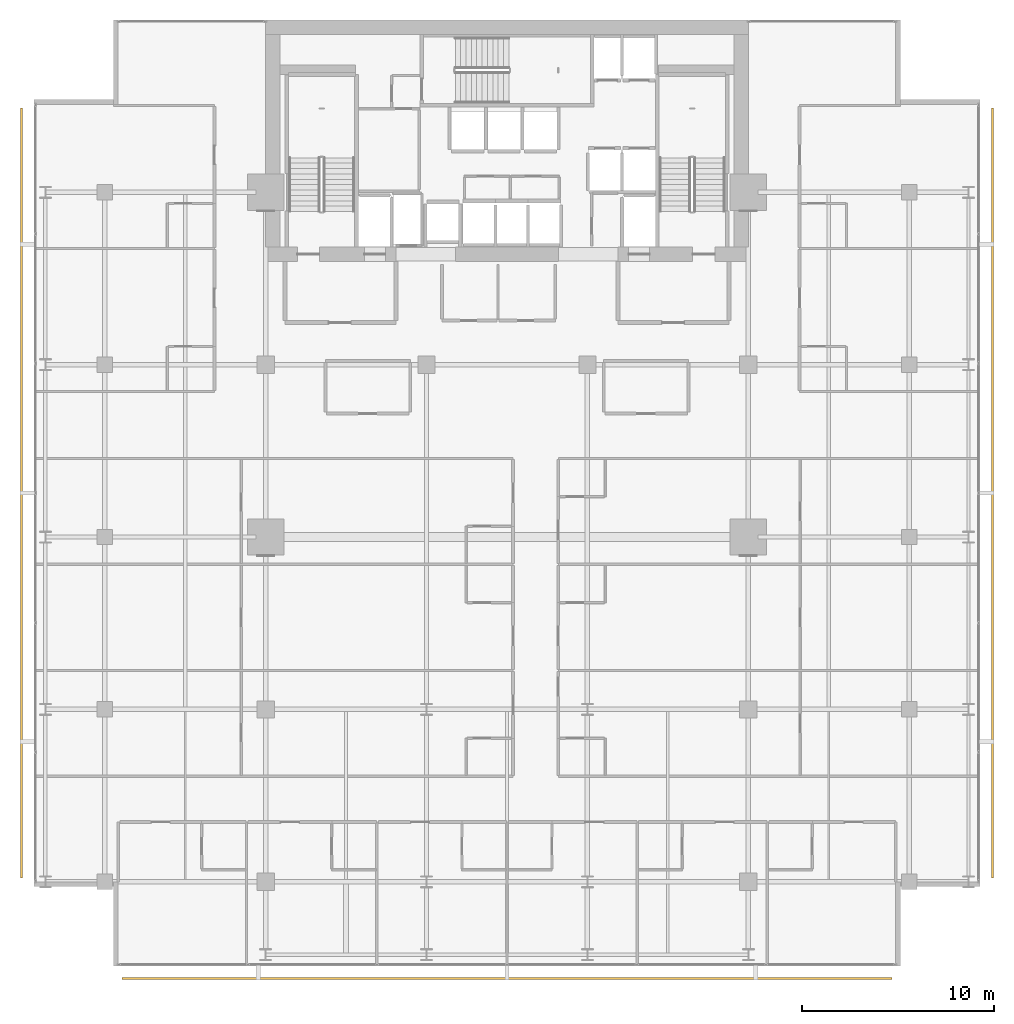
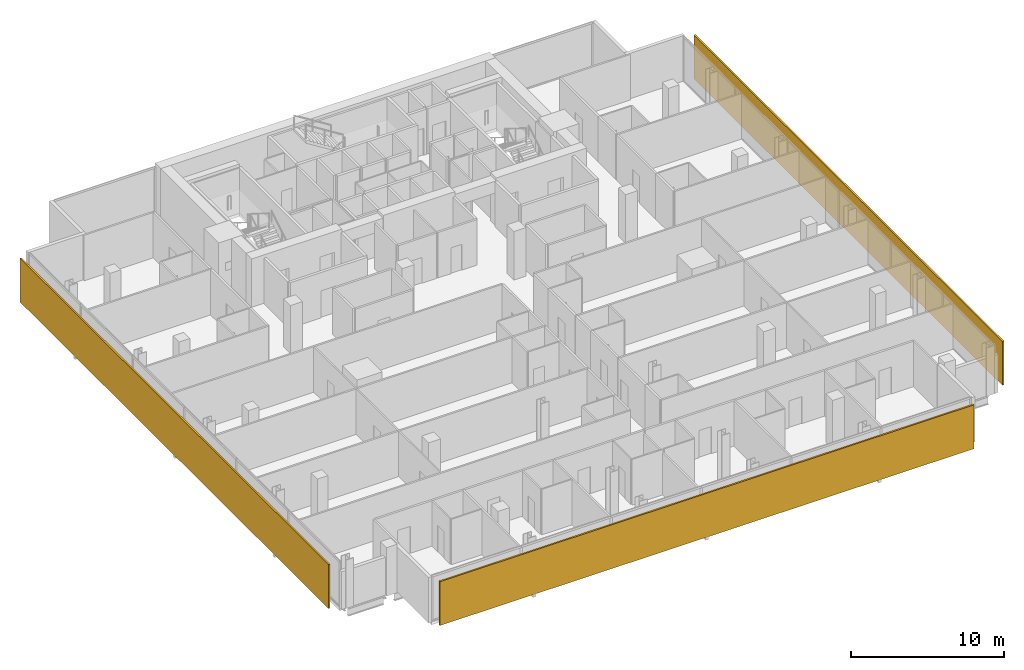
# One storey, part 32 of 33: 3 shading devices.
"""IFC4 building model written with IfcOpenShell, lengths in metres."""

from ifc_helpers import new_model, si_unit, direction, frame, origin, origin_2d, place, context, subcontext, project, spatial, rectangle, extrude, material, layer, layer_set, type_object, element, save


model = new_model("IFC4")

# Units and contexts
model_context = context("Model", 3, precision=1e-05, world=origin(), true_north=direction((0.0, 1.0)))
body_context = subcontext(model_context, "Body", "Model", "MODEL_VIEW")
ifc_project = project(units=[si_unit("LENGTHUNIT", "METRE"), si_unit("AREAUNIT", "SQUARE_METRE"), si_unit("VOLUMEUNIT", "CUBIC_METRE"), si_unit("PLANEANGLEUNIT", "RADIAN"), si_unit("MASSUNIT", "GRAM", prefix="KILO")], contexts=[model_context])

# Site, building, storey
site_placement = place(None, origin())
site = spatial("IfcSite", under=ifc_project, at=site_placement, CompositionType="ELEMENT")
building_placement = place(site_placement, origin())
building = spatial("IfcBuilding", under=site, at=building_placement, Name="Maruvema Waterfront Hotel and Observation Tower", CompositionType="ELEMENT")
storey_placement = place(building_placement, frame((0.0, 0.0, 158.199951171875)))
storey = spatial("IfcBuildingStorey", under=building, at=storey_placement, Name="L38", CompositionType="ELEMENT", Elevation=158.199951171875)

# Shading devices
ifc_material = material(Name="Honed travertine stone and anodised architectural bronze", Category="masonry")
ifc_layer = layer(ifc_material, 0.1201171875, Name="Ventilated Outer Skin Cobogo Stone-and-Bronze Screen 120 mm")
ifc_layer_set = layer_set([ifc_layer], Name="Honed travertine stone and anodised architectural bronze")
shading_device_type = type_object("IfcShadingDeviceType", Name="Ventilated Outer Skin Cobogo Stone-and-Bronze Screen 120 mm", PredefinedType="USERDEFINED", material=ifc_layer_set)
for number, where, z_axis, x_axis, name in (
    (1, (37.800048828125, 3.949951171875, 0.06005859375), (0.0, 0.0, 1.0), (1.0, 0.0, 0.0), "L38 Ventilated Double-Skin Outer Cobogo Screen OS-L38-S"),
    (2, (63.14990234375, 29.300048828125, 0.06005859375), (0.0, 0.0, 1.0), (0.0, 1.0, 0.0), "L38 Ventilated Double-Skin Outer Cobogo Screen OS-L38-E"),
    (3, (12.449951171875, 29.300048828125, 0.06005859375), (0.0, 0.0, 1.0), (0.0, -1.0, 0.0), "L38 Ventilated Double-Skin Outer Cobogo Screen OS-L38-W"),
):
    element("IfcShadingDevice", number, at=place(storey_placement, frame(where, z_axis=z_axis, x_axis=x_axis)), inside=storey, type_object=shading_device_type, Name=name, ObjectType="OUTER SKIN SCREEN", PredefinedType="USERDEFINED", context=body_context, shape_type="SweptSolid", body=[
        extrude(rectangle(XDim=40.199951171875, YDim=0.1201171875, at=origin_2d()), origin(), (0.0, 0.0, 1.0), 3.489990234375),
    ])

save(model, "model.ifc")
